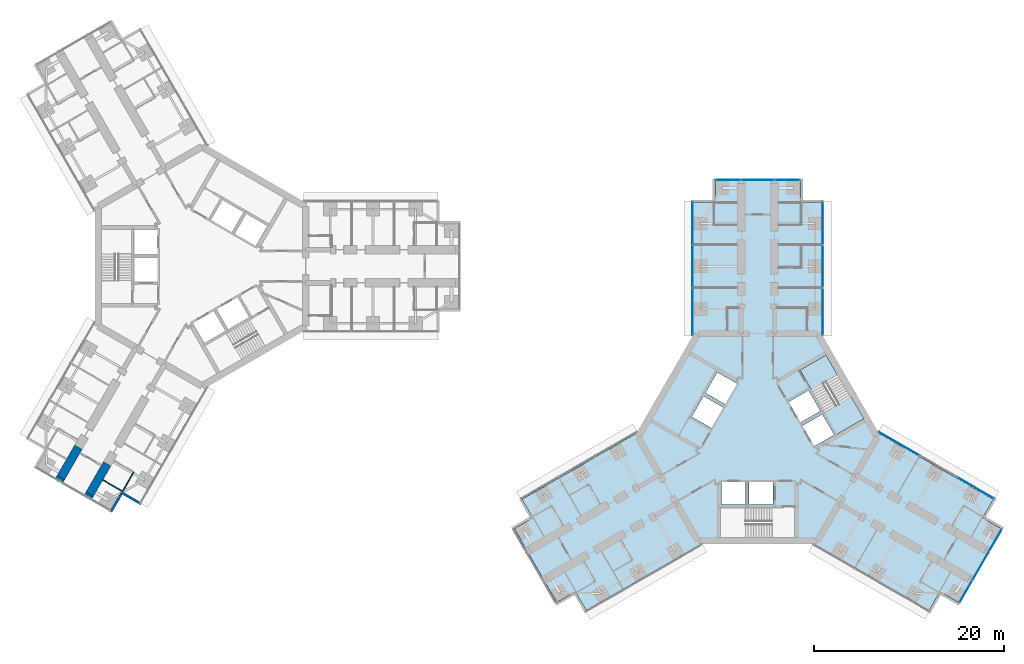
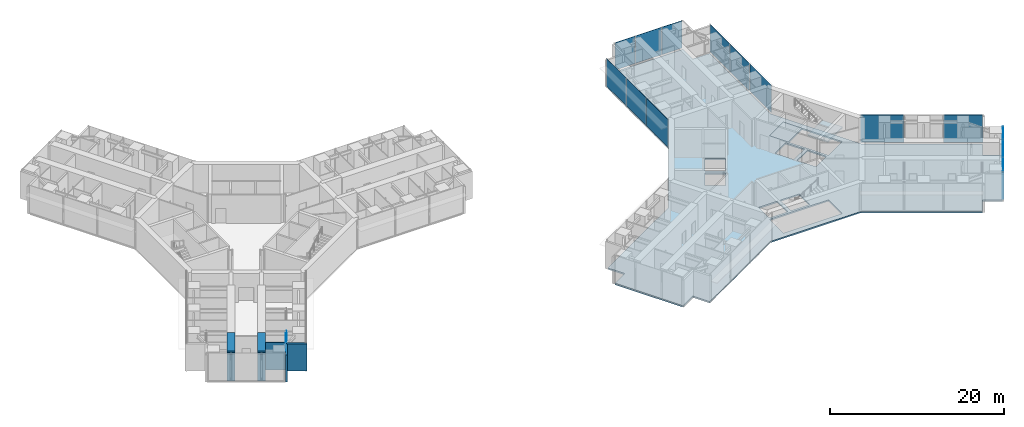
# One storey, part 15 of 25: 14 plates, 8 walls, 3 slabs, 6 elements without a shape of their own.
"""IFC4 building model written with IfcOpenShell, lengths in metres."""

from ifc_helpers import new_model, si_unit, direction, frame, frame_2d, origin, origin_2d, place, context, subcontext, project, spatial, polyline, rectangle, outline, extrude, material, layer, layer_set, type_object, element, aggregate, save


model = new_model("IFC4")

# Units and contexts
model_context = context("Model", 3, precision=1e-05, world=origin(), true_north=direction((0.0, 1.0)))
body_context = subcontext(model_context, "Body", "Model", "MODEL_VIEW")
ifc_project = project(units=[si_unit("LENGTHUNIT", "METRE"), si_unit("AREAUNIT", "SQUARE_METRE"), si_unit("VOLUMEUNIT", "CUBIC_METRE"), si_unit("PLANEANGLEUNIT", "RADIAN"), si_unit("MASSUNIT", "GRAM", prefix="KILO")], contexts=[model_context])

# Site, building, storey
site_placement = place(None, origin())
site = spatial("IfcSite", under=ifc_project, at=site_placement, CompositionType="ELEMENT")
building_placement = place(site_placement, origin())
building = spatial("IfcBuilding", under=site, at=building_placement, Name="Upepo Twin Towers", CompositionType="ELEMENT")
storey_placement = place(building_placement, frame((0.0, 0.0, 80.5)))
storey = spatial("IfcBuildingStorey", under=building, at=storey_placement, Name="L19", CompositionType="ELEMENT", Elevation=80.5)

# Curtain wall, plates
ifc_material_1 = material(Name="Aluminium and fritted glass", Category="aluminium")
curtain_wall_type = type_object("IfcCurtainWallType", Name="Tower curtain wall TW1, fritted glass", PredefinedType="NOTDEFINED", material=ifc_material_1)
curtain_wall_1_placement = place(storey_placement, origin())
curtain_wall_1 = element("IfcCurtainWall", 1, at=curtain_wall_1_placement, inside=storey, type_object=curtain_wall_type, Name="T2 L19 wing A flank L curtain wall", PredefinedType="NOTDEFINED")
ifc_material_2 = material(Name="Ceramic-fritted laminated glass", Category="glass")
ifc_layer_1 = layer(ifc_material_2, 0.031982421875)
ifc_layer_set_1 = layer_set([ifc_layer_1], Name="Fritted glass panel, 30 per cent dot frit, 32 mm double glazed")
plate_type_1 = type_object("IfcPlateType", Name="Fritted glass panel, 30 per cent dot frit, 32 mm double glazed", PredefinedType="CURTAIN_PANEL", material=ifc_layer_set_1)
plate_1_placement = place(storey_placement, frame((51.64990234375, -4.76513671875, 0.14990234375), z_axis=(0.0, 0.0, 1.0), x_axis=(0.0, 1.0, 0.0)))
plate_1 = element("IfcPlate", 2, at=plate_1_placement, type_object=plate_type_1, Name="T2 L19 wing A flank L curtain wall panel 1", PredefinedType="CURTAIN_PANEL", context=body_context, shape_type="SweptSolid", body=[
    extrude(rectangle(XDim=4.96533203125, YDim=0.031982421875, at=origin_2d()), origin(), (0.0, 0.0, 1.0), 3.85009765625),
])
plate_2_placement = place(storey_placement, frame((51.64990234375, 0.0, 0.14990234375), z_axis=(0.0, 0.0, 1.0), x_axis=(0.0, 1.0, 0.0)))
plate_2 = element("IfcPlate", 3, at=plate_2_placement, type_object=plate_type_1, Name="T2 L19 wing A flank L curtain wall panel 2", PredefinedType="CURTAIN_PANEL", context=body_context, shape_type="SweptSolid", body=[
    extrude(rectangle(XDim=4.43505859375, YDim=0.031982421875, at=origin_2d()), origin(), (0.0, 0.0, 1.0), 3.85009765625),
])
plate_3_placement = place(storey_placement, frame((51.64990234375, 4.53369140625, 0.14990234375), z_axis=(0.0, 0.0, 1.0), x_axis=(0.0, 1.0, 0.0)))
plate_3 = element("IfcPlate", 4, at=plate_3_placement, type_object=plate_type_1, Name="T2 L19 wing A flank L curtain wall panel 3", PredefinedType="CURTAIN_PANEL", context=body_context, shape_type="SweptSolid", body=[
    extrude(rectangle(XDim=4.50244140625, YDim=0.031982421875, at=origin_2d()), origin(), (0.0, 0.0, 1.0), 3.85009765625),
])
aggregate(curtain_wall_1, [plate_1, plate_2, plate_3])

curtain_wall_2_placement = place(storey_placement, origin())
curtain_wall_2 = element("IfcCurtainWall", 5, at=curtain_wall_2_placement, inside=storey, type_object=curtain_wall_type, Name="T2 L19 wing A flank R curtain wall", PredefinedType="NOTDEFINED")
plate_4_placement = place(storey_placement, frame((65.35009765625, 4.53369140625, 0.14990234375), z_axis=(0.0, 0.0, 1.0), x_axis=(0.0, -1.0, 0.0)))
plate_4 = element("IfcPlate", 6, at=plate_4_placement, type_object=plate_type_1, Name="T2 L19 wing A flank R curtain wall panel 1", PredefinedType="CURTAIN_PANEL", context=body_context, shape_type="SweptSolid", body=[
    extrude(rectangle(XDim=4.50244140625, YDim=0.031982421875, at=origin_2d()), origin(), (0.0, 0.0, 1.0), 3.85009765625),
])
plate_5_placement = place(storey_placement, frame((65.35009765625, 0.0, 0.14990234375), z_axis=(0.0, 0.0, 1.0), x_axis=(0.0, -1.0, 0.0)))
plate_5 = element("IfcPlate", 7, at=plate_5_placement, type_object=plate_type_1, Name="T2 L19 wing A flank R curtain wall panel 2", PredefinedType="CURTAIN_PANEL", context=body_context, shape_type="SweptSolid", body=[
    extrude(rectangle(XDim=4.43505859375, YDim=0.031982421875, at=origin_2d()), origin(), (0.0, 0.0, 1.0), 3.85009765625),
])
plate_6_placement = place(storey_placement, frame((65.35009765625, -4.76513671875, 0.14990234375), z_axis=(0.0, 0.0, 1.0), x_axis=(0.0, -1.0, 0.0)))
plate_6 = element("IfcPlate", 8, at=plate_6_placement, type_object=plate_type_1, Name="T2 L19 wing A flank R curtain wall panel 3", PredefinedType="CURTAIN_PANEL", context=body_context, shape_type="SweptSolid", body=[
    extrude(rectangle(XDim=4.96533203125, YDim=0.031982421875, at=origin_2d()), origin(), (0.0, 0.0, 1.0), 3.85009765625),
])
aggregate(curtain_wall_2, [plate_4, plate_5, plate_6])

# Curtain wall, plate
curtain_wall_3_placement = place(storey_placement, origin())
curtain_wall_3 = element("IfcCurtainWall", 9, at=curtain_wall_3_placement, inside=storey, type_object=curtain_wall_type, Name="T2 L19 wing A nose curtain wall", PredefinedType="NOTDEFINED")
plate_7_placement = place(storey_placement, frame((58.5, 9.10009765625, 0.14990234375), z_axis=(0.0, 0.0, 1.0), x_axis=(-1.0, 0.0, 0.0)))
plate_7 = element("IfcPlate", 10, at=plate_7_placement, type_object=plate_type_1, Name="T2 L19 wing A nose curtain wall panel 2", PredefinedType="CURTAIN_PANEL", context=body_context, shape_type="SweptSolid", body=[
    extrude(rectangle(XDim=3.43505859375, YDim=0.031982421875, at=origin_2d()), origin(), (0.0, 0.0, 1.0), 3.85009765625),
])

# Curtain wall, plates
curtain_wall_4_placement = place(storey_placement, origin())
curtain_wall_4 = element("IfcCurtainWall", 11, at=curtain_wall_4_placement, inside=storey, type_object=curtain_wall_type, Name="T2 L19 wing C flank L curtain wall", PredefinedType="NOTDEFINED")
plate_8_placement = place(storey_placement, frame((73.38671875, -18.68505859375, 0.14990234375), z_axis=(0.0, 0.0, 1.0), x_axis=(0.866025389682, -0.500000024426, 0.0)))
plate_8 = element("IfcPlate", 12, at=plate_8_placement, type_object=plate_type_1, Name="T2 L19 wing C flank L curtain wall panel 1", PredefinedType="CURTAIN_PANEL", context=body_context, shape_type="SweptSolid", body=[
    extrude(rectangle(XDim=4.96533203125, YDim=0.031982421875, at=origin_2d()), origin(), (0.0, 0.0, 1.0), 3.85009765625),
])
plate_9_placement = place(storey_placement, frame((81.439697265625, -23.334716796875, 0.14990234375), z_axis=(0.0, 0.0, 1.0), x_axis=(0.866025389682, -0.500000024426, 0.0)))
plate_9 = element("IfcPlate", 13, at=plate_9_placement, type_object=plate_type_1, Name="T2 L19 wing C flank L curtain wall panel 3", PredefinedType="CURTAIN_PANEL", context=body_context, shape_type="SweptSolid", body=[
    extrude(rectangle(XDim=4.50244140625, YDim=0.031982421875, at=origin_2d()), origin(), (0.0, 0.0, 1.0), 3.85009765625),
])
aggregate(curtain_wall_4, [plate_8, plate_9])

# Curtain wall, plate
curtain_wall_5_placement = place(storey_placement, origin())
curtain_wall_5 = element("IfcCurtainWall", 14, at=curtain_wall_5_placement, inside=storey, type_object=curtain_wall_type, Name="T2 L19 wing C nose curtain wall", PredefinedType="NOTDEFINED")
plate_10_placement = place(storey_placement, frame((81.96923828125, -31.550048828125, 0.14990234375), z_axis=(0.0, 0.0, 1.0), x_axis=(0.500000030502, 0.866025386174, 0.0)))
plate_10 = element("IfcPlate", 15, at=plate_10_placement, type_object=plate_type_1, Name="T2 L19 wing C nose curtain wall panel 2", PredefinedType="CURTAIN_PANEL", context=body_context, shape_type="SweptSolid", body=[
    extrude(rectangle(XDim=3.43505859375, YDim=0.031982421875, at=origin_2d()), origin(), (0.0, 0.0, 1.0), 3.85009765625),
])

# Plate
ifc_material_3 = material(Name="Clear laminated glass in opening sash", Category="glass")
ifc_layer_2 = layer(ifc_material_3, 0.031982421875)
ifc_layer_set_2 = layer_set([ifc_layer_2], Name="Operable glass panel, 32 mm double glazed")
plate_type_2 = type_object("IfcPlateType", Name="Operable glass panel, 32 mm double glazed", PredefinedType="CURTAIN_PANEL", material=ifc_layer_set_2)
plate_11_placement = place(storey_placement, frame((61.608642578125, 9.10009765625, 0.14990234375), z_axis=(0.0, 0.0, 1.0), x_axis=(-1.0, 0.0, 0.0)))
plate_11 = element("IfcPlate", 16, at=plate_11_placement, type_object=plate_type_2, Name="T2 L19 wing A nose curtain wall panel 1", PredefinedType="CURTAIN_PANEL", context=body_context, shape_type="SweptSolid", body=[
    extrude(rectangle(XDim=2.652587890625, YDim=0.031982421875, at=origin_2d()), origin(), (0.0, 0.0, 1.0), 3.85009765625),
])

plate_12_placement = place(storey_placement, frame((55.391357421875, 9.10009765625, 0.14990234375), z_axis=(0.0, 0.0, 1.0), x_axis=(-1.0, 0.0, 0.0)))
plate_12 = element("IfcPlate", 17, at=plate_12_placement, type_object=plate_type_2, Name="T2 L19 wing A nose curtain wall panel 3", PredefinedType="CURTAIN_PANEL", context=body_context, shape_type="SweptSolid", body=[
    extrude(rectangle(XDim=2.652587890625, YDim=0.031982421875, at=origin_2d()), origin(), (0.0, 0.0, 1.0), 3.85009765625),
])

aggregate(curtain_wall_3, [plate_11, plate_7, plate_12])

plate_13_placement = place(storey_placement, frame((80.414794921875, -34.2421875, 0.14990234375), z_axis=(0.0, 0.0, 1.0), x_axis=(0.500000030502, 0.866025386174, 0.0)))
plate_13 = element("IfcPlate", 18, at=plate_13_placement, type_object=plate_type_2, Name="T2 L19 wing C nose curtain wall panel 1", PredefinedType="CURTAIN_PANEL", context=body_context, shape_type="SweptSolid", body=[
    extrude(rectangle(XDim=2.652587890625, YDim=0.031982421875, at=origin_2d()), origin(), (0.0, 0.0, 1.0), 3.85009765625),
])

plate_14_placement = place(storey_placement, frame((83.523681640625, -28.857666015625, 0.14990234375), z_axis=(0.0, 0.0, 1.0), x_axis=(0.500000030502, 0.866025386174, 0.0)))
plate_14 = element("IfcPlate", 19, at=plate_14_placement, type_object=plate_type_2, Name="T2 L19 wing C nose curtain wall panel 3", PredefinedType="CURTAIN_PANEL", context=body_context, shape_type="SweptSolid", body=[
    extrude(rectangle(XDim=2.652587890625, YDim=0.031982421875, at=origin_2d()), origin(), (0.0, 0.0, 1.0), 3.85009765625),
])

aggregate(curtain_wall_5, [plate_13, plate_10, plate_14])

# Stair, slabs
ifc_material_4 = material(Name="Concrete C40/50", Category="concrete")
stair_type = type_object("IfcStairType", Name="Core stair, two flights", PredefinedType="HALF_TURN_STAIR", material=ifc_material_4)
stair_placement = place(storey_placement, origin())
stair = element("IfcStair", 20, at=stair_placement, inside=storey, type_object=stair_type, Name="T2 stair S2 L19", PredefinedType="HALF_TURN_STAIR")
ifc_material_5 = material(Name="Concrete C40/50", Category="concrete")
ifc_layer_3 = layer(ifc_material_5, 0.199951171875)
ifc_layer_set_3 = layer_set([ifc_layer_3], Name="Concrete C40/50")
slab_type_1 = type_object("IfcSlabType", Name="Stair landing 200 RC", PredefinedType="LANDING", material=ifc_layer_set_3)
slab_1_placement = place(storey_placement, frame((0.0, 0.0, -0.199951171875)))
slab_1 = element("IfcSlab", 21, at=slab_1_placement, type_object=slab_type_1, Name="Stair S2 landing 1", PredefinedType="LANDING", context=body_context, shape_type="SweptSolid", body=[
    extrude(outline(polyline([(64.198486328125, -13.0703125), (66.933837890625, -11.490966796875), (65.69384765625, -9.34326171875), (62.95849609375, -10.922607421875), (64.198486328125, -13.0703125)])), origin(), (0.0, 0.0, 1.0), 0.199951171875),
])
slab_2_placement = place(storey_placement, frame((0.0, 0.0, 1.800048828125)))
slab_2 = element("IfcSlab", 22, at=slab_2_placement, type_object=slab_type_1, Name="Stair S2 landing 2", PredefinedType="LANDING", context=body_context, shape_type="SweptSolid", body=[
    extrude(outline(polyline([(66.77197265625, -17.7275390625), (69.680419921875, -16.04833984375), (68.3203125, -13.692626953125), (65.411865234375, -15.371826171875), (66.77197265625, -17.7275390625)])), origin(), (0.0, 0.0, 1.0), 0.199951171875),
])
aggregate(stair, [slab_1, slab_2])

# Slab
ifc_material_6 = material(Name="Concrete C40/50", Category="concrete")
ifc_layer_4 = layer(ifc_material_6, 0.199951171875)
ifc_layer_set_4 = layer_set([ifc_layer_4], Name="Concrete C40/50")
slab_type_2 = type_object("IfcSlabType", Name="Tower floor slab 200 RC", PredefinedType="FLOOR", material=ifc_layer_set_4)
slab_3_placement = place(storey_placement, frame((0.0, 0.0, -0.199951171875)))
element("IfcSlab", 23, at=slab_3_placement, inside=storey, type_object=slab_type_2, Name="T2 L19 floor slab", PredefinedType="FLOOR", context=body_context, shape_type="SweptSolid", body=[
    extrude(outline(polyline([(82.18408203125, -26.477783203125), (84.132568359375, -27.602783203125), (79.632568359375, -35.397216796875), (77.68408203125, -34.272216796875), (76.55908203125, -36.220703125), (64.5, -29.25830078125), (52.5, -29.25830078125), (40.44091796875, -36.220703125), (39.31591796875, -34.272216796875), (37.367431640625, -35.397216796875), (32.867431640625, -27.602783203125), (34.81591796875, -26.477783203125), (33.69091796875, -24.529296875), (45.75, -17.56689453125), (51.75, -7.174560546875), (51.75, 6.75), (54.0, 6.75), (54.0, 9.0), (63.0, 9.0), (63.0, 6.75), (65.25, 6.75), (65.25, -7.174560546875), (71.25, -17.56689453125), (83.30908203125, -24.529296875), (82.18408203125, -26.477783203125)]), holes=[polyline([(56.32958984375, -12.359130859375), (54.251220703125, -11.1591796875), (53.001220703125, -13.32421875), (55.07958984375, -14.524169921875), (56.32958984375, -12.359130859375)]), polyline([(54.879638671875, -14.87060546875), (52.80126953125, -13.670654296875), (51.55126953125, -15.835693359375), (53.629638671875, -17.03564453125), (54.879638671875, -14.87060546875)]), polyline([(54.699951171875, -22.699951171875), (54.699951171875, -25.10009765625), (57.199951171875, -25.10009765625), (57.199951171875, -22.699951171875), (54.699951171875, -22.699951171875)]), polyline([(57.60009765625, -22.699951171875), (57.60009765625, -25.10009765625), (60.10009765625, -25.10009765625), (60.10009765625, -22.699951171875), (57.60009765625, -22.699951171875)]), polyline([(54.60009765625, -25.39990234375), (54.60009765625, -28.558349609375), (62.39990234375, -28.558349609375), (62.39990234375, -25.39990234375), (54.60009765625, -25.39990234375)]), polyline([(64.47021484375, -18.94091796875), (66.548828125, -17.740966796875), (65.298828125, -15.575927734375), (63.22021484375, -16.77587890625), (64.47021484375, -18.94091796875)]), polyline([(63.020263671875, -16.429443359375), (65.098876953125, -15.2294921875), (63.848876953125, -13.064453125), (61.770263671875, -14.264404296875), (63.020263671875, -16.429443359375)]), polyline([(66.858642578125, -17.677490234375), (69.59375, -16.098388671875), (65.69384765625, -9.34326171875), (62.95849609375, -10.922607421875), (66.858642578125, -17.677490234375)])]), origin(), (0.0, 0.0, 1.0), 0.199951171875),
])

# Walls
ifc_material_7 = material(Name="Dense concrete blockwork", Category="masonry")
ifc_layer_5 = layer(ifc_material_7, 0.89990234375)
ifc_layer_set_5 = layer_set([ifc_layer_5], Name="Buttress closer 900, blockwork with fire-stopping to the curtain wall")
wall_type_1 = type_object("IfcWallType", Name="Buttress closer 900, blockwork with fire-stopping to the curtain wall", PredefinedType="PARTITIONING", material=ifc_layer_set_5)
for number, where, z_axis, x_axis, name in (
    (24, (-11.83447265625, -23.997802734375, 0.0), (0.0, 0.0, 1.0), (-0.499949632511, -0.866054481515, 0.0), "T1 L19 wing C buttress closer L"),
    (25, (-14.865478515625, -22.247802734375, 0.0), (0.0, 0.0, 1.0), (-0.499949632511, -0.866054481515, 0.0), "T1 L19 wing C buttress closer R"),
):
    element("IfcWall", number, at=place(storey_placement, frame(where, z_axis=z_axis, x_axis=x_axis)), inside=storey, type_object=wall_type_1, Name=name, PredefinedType="PARTITIONING", context=body_context, shape_type="SweptSolid", body=[
        extrude(rectangle(XDim=0.31005859375, YDim=0.89990234375, at=frame_2d((0.155029296875, 0.0))), origin(), (0.0, 0.0, 1.0), 3.800048828125),
    ])
ifc_material_8 = material(Name="Concrete C60/75", Category="concrete")
ifc_layer_6 = layer(ifc_material_8, 0.89990234375)
ifc_layer_set_6 = layer_set([ifc_layer_6], Name="Concrete C60/75")
wall_type_2 = type_object("IfcWallType", Name="Buttress wall 900 RC", PredefinedType="SHEAR", material=ifc_layer_set_6)
wall_1_placement = place(storey_placement, frame((-9.984375, -20.793701171875, 0.0), z_axis=(0.0, 0.0, 1.0), x_axis=(-0.500042316284, -0.866000971088, 0.0)))
element("IfcWall", 26, at=wall_1_placement, inside=storey, type_object=wall_type_2, Name="T1 wing C buttress wall L part 3", PredefinedType="SHEAR", context=body_context, shape_type="SweptSolid", body=[
    extrude(rectangle(XDim=3.699951171875, YDim=0.89990234375, at=frame_2d((1.85009765625, 0.0))), origin(), (0.0, 0.0, 1.0), 4.0),
])
wall_2_placement = place(storey_placement, frame((-13.015625, -19.043701171875, 0.0), z_axis=(0.0, 0.0, 1.0), x_axis=(-0.499992827086, -0.866029545028, 0.0)))
element("IfcWall", 27, at=wall_2_placement, inside=storey, type_object=wall_type_2, Name="T1 wing C buttress wall R part 3", PredefinedType="SHEAR", context=body_context, shape_type="SweptSolid", body=[
    extrude(rectangle(XDim=3.69970703125, YDim=0.89990234375, at=frame_2d((1.849853515625, 0.0))), origin(), (0.0, 0.0, 1.0), 4.0),
])
ifc_material_9 = material(Name="Blockwork with anodised aluminium cladding", Category="masonry")
ifc_layer_7 = layer(ifc_material_9, 0.25)
ifc_layer_set_7 = layer_set([ifc_layer_7], Name="Notch cladding wall 250, pale metal")
wall_type_3 = type_object("IfcWallType", Name="Notch cladding wall 250, pale metal", PredefinedType="STANDARD", material=ifc_layer_set_7)
for number, where, z_axis, x_axis, name in (
    (28, (-6.418701171875, -25.017333984375, 0.0), (0.0, 0.0, 1.0), (-0.866043940782, 0.499967891604, 0.0), "T1 L19 wing C notch wall L1"),
    (29, (-8.43212890625, -23.85498046875, 0.0), (0.0, 0.0, 1.0), (-0.500046648681, -0.865998469481, 0.0), "T1 L19 wing C notch wall L2"),
):
    element("IfcWall", number, at=place(storey_placement, frame(where, z_axis=z_axis, x_axis=x_axis)), inside=storey, type_object=wall_type_3, Name=name, PredefinedType="STANDARD", context=body_context, shape_type="SweptSolid", body=[
        extrude(rectangle(XDim=2.324951171875, YDim=0.25, at=frame_2d((1.16259765625, 0.0))), origin(), (0.0, 0.0, 1.0), 3.800048828125),
    ])
ifc_material_10 = material(Name="Gypsum board on steel studs", Category="steel")
ifc_layer_8 = layer(ifc_material_10, 0.10009765625)
ifc_layer_set_8 = layer_set([ifc_layer_8], Name="Office partition 100 stud")
wall_type_4 = type_object("IfcWallType", Name="Office partition 100 stud", PredefinedType="PARTITIONING", material=ifc_layer_set_8)
wall_3_placement = place(storey_placement, frame((-7.191162109375, -21.65576171875, 0.0), z_axis=(0.0, 0.0, 1.0), x_axis=(-0.500077600433, -0.865980596518, 0.0)))
element("IfcWall", 30, at=wall_3_placement, inside=storey, type_object=wall_type_4, Name="T1 inner room partition CL at 22.35", PredefinedType="PARTITIONING", context=body_context, shape_type="SweptSolid", body=[
    extrude(rectangle(XDim=2.39990234375, YDim=0.10009765625, at=frame_2d((1.199951171875, 0.0))), origin(), (0.0, 0.0, 1.0), 3.800048828125),
])
wall_4_placement = place(storey_placement, frame((-10.44482421875, -22.49072265625, 0.0), z_axis=(0.0, 0.0, 1.0), x_axis=(0.866006032174, -0.500033551112, 0.0)))
element("IfcWall", 31, at=wall_4_placement, inside=storey, type_object=wall_type_4, Name="T1 inner room partition CL end at 24.75", PredefinedType="PARTITIONING", context=body_context, shape_type="SweptSolid", body=[
    extrude(rectangle(XDim=2.400146484375, YDim=0.10009765625, at=frame_2d((1.2001953125, 0.0))), origin(), (0.0, 0.0, 1.0), 3.800048828125),
])

save(model, "model.ifc")
